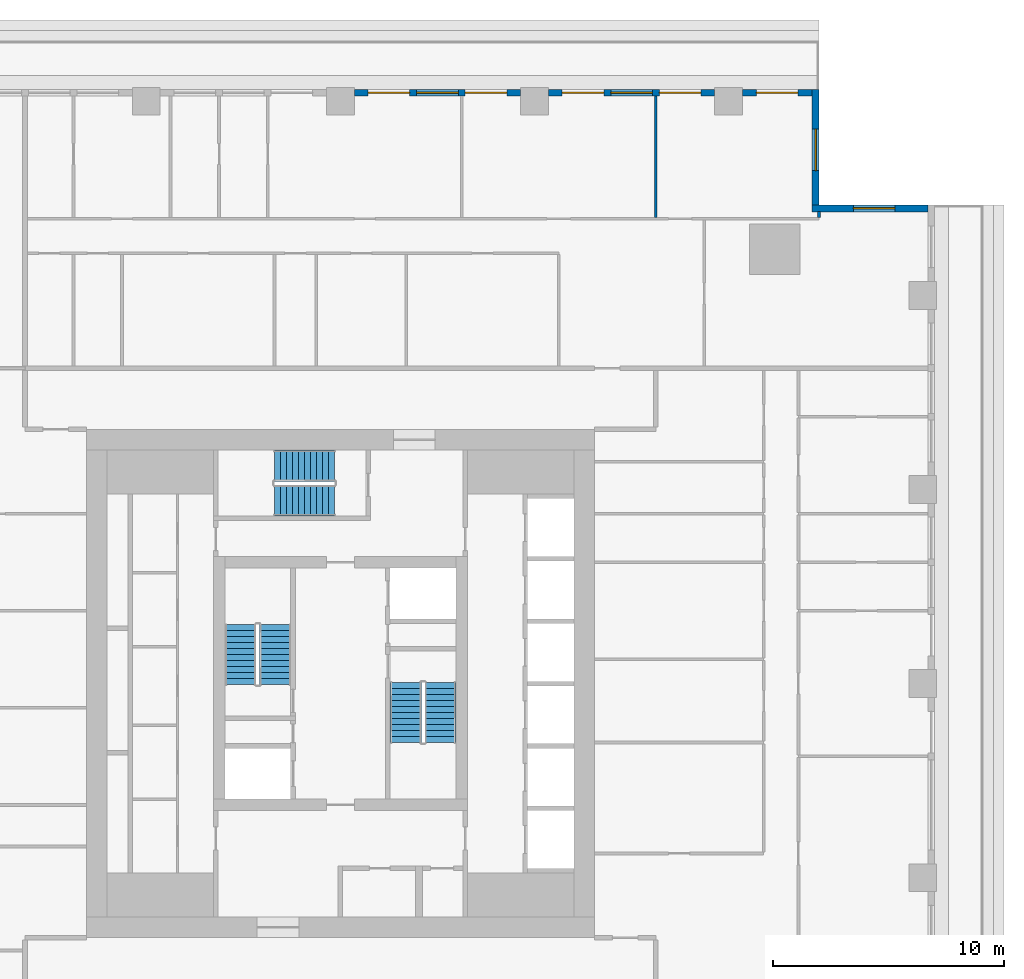
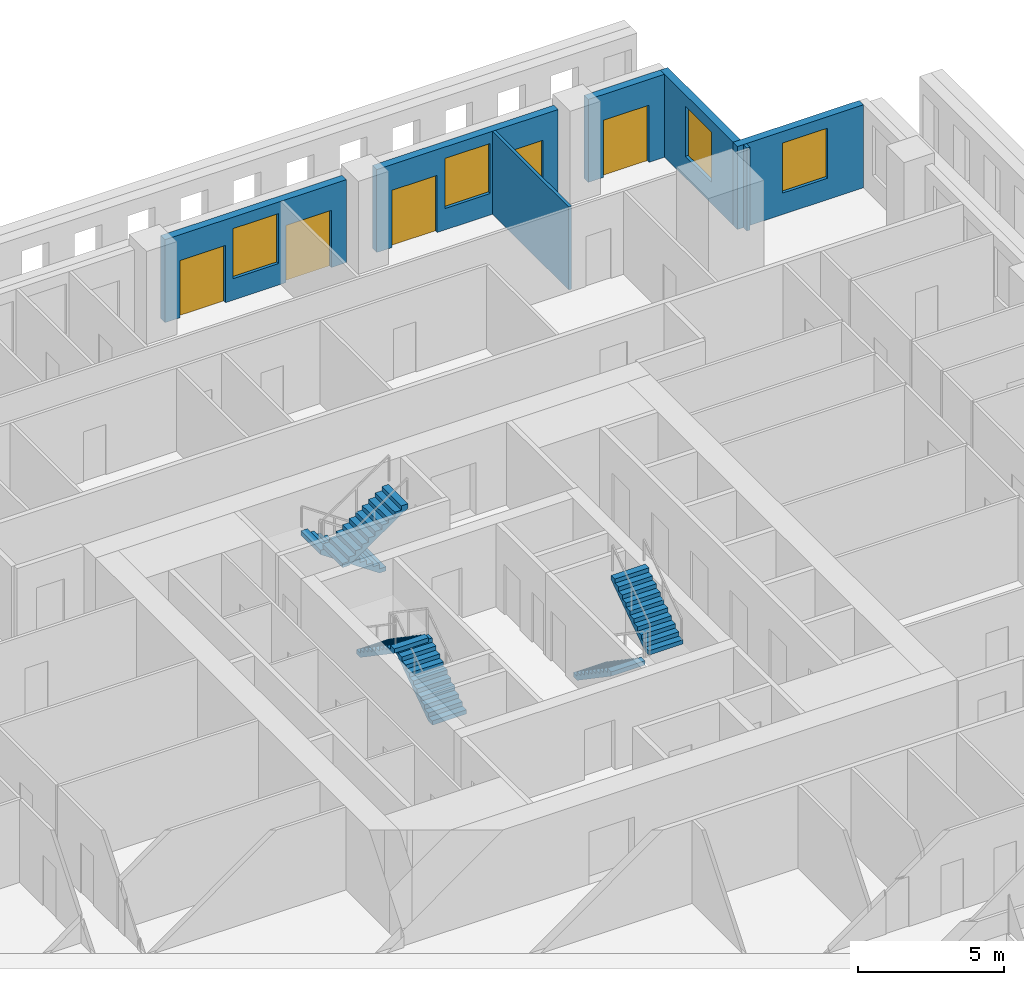
# One storey, part 9 of 14: 7 walls, 6 stair flights, 5 doors, 4 windows, 9 openings, 3 elements without a shape of their own.
"""IFC4 building model written with IfcOpenShell, lengths in metres."""

from ifc_helpers import new_model, si_unit, direction, frame, frame_2d, origin, place, context, subcontext, project, spatial, polyline, rectangle, outline, extrude, material, layer, layer_set, type_object, element, fill, aggregate, save


model = new_model("IFC4")

# Units and contexts
model_context = context("Model", 3, precision=1e-05, world=origin(), true_north=direction((0.0, 1.0)))
body_context = subcontext(model_context, "Body", "Model", "MODEL_VIEW")
ifc_project = project(units=[si_unit("LENGTHUNIT", "METRE"), si_unit("AREAUNIT", "SQUARE_METRE"), si_unit("VOLUMEUNIT", "CUBIC_METRE"), si_unit("PLANEANGLEUNIT", "RADIAN"), si_unit("MASSUNIT", "GRAM", prefix="KILO")], contexts=[model_context])

# Site, building, storey
site_placement = place(None, origin())
site = spatial("IfcSite", under=ifc_project, at=site_placement, CompositionType="ELEMENT")
building_placement = place(site_placement, origin())
building = spatial("IfcBuilding", under=site, at=building_placement, Name="Khepri Terraces", CompositionType="ELEMENT")
storey_placement = place(building_placement, frame((0.0, 0.0, 264.0)))
storey = spatial("IfcBuildingStorey", under=building, at=storey_placement, Name="L63", CompositionType="ELEMENT", Elevation=264.0)

# Wall, opening, window
ifc_material_1 = material(Name="Precast concrete C50/60 warm stone", Category="masonry")
ifc_layer_1 = layer(ifc_material_1, 0.300048828125, Name="Precast concrete C50/60 warm stone", Category="masonry")
ifc_layer_set_1 = layer_set([ifc_layer_1], Name="Precast concrete C50/60 warm stone")
wall_type_1 = type_object("IfcWallType", Name="WL-EXT-PRECAST-300", PredefinedType="STANDARD", material=ifc_layer_set_1)
wall_1_placement = place(storey_placement, frame((25.419921875, 20.570068359375, 0.0), z_axis=(0.0, 0.0, 1.0), x_axis=(-1.0, 0.0, 0.0)))
wall_1 = element("IfcWall", 1, at=wall_1_placement, inside=storey, type_object=wall_type_1, Name="External wall L63 N", PredefinedType="STANDARD", context=body_context, shape_type="SweptSolid", body=[
    extrude(rectangle(XDim=5.0, YDim=0.300048828125, at=frame_2d((2.5, 0.0))), origin(), (0.0, 0.0, 1.0), 3.47998046875),
])
opening_1_placement = place(wall_1_placement, frame((1.419921875, 0.0, 0.89990234375)))
opening_1 = element("IfcOpeningElement", 2, at=opening_1_placement, cuts=wall_1, Name="Opening W1", PredefinedType="OPENING", context=body_context, shape_type="SweptSolid", body=[
    extrude(rectangle(XDim=1.800048828125, YDim=2.10009765625, at=frame_2d((0.89990234375, 1.050048828125))), frame((0.0, 0.16015625, 0.0), z_axis=(0.0, -1.0, 0.0), x_axis=(1.0, 0.0, 0.0)), (0.0, 0.0, 1.0), 0.320068359375),
])
ifc_material_2 = material(Name="Clear glass", Category="glass")
window_type = type_object("IfcWindowType", Name="WIN-RES-1800x2100", PartitioningType="SINGLE_PANEL", PredefinedType="WINDOW", material=ifc_material_2)
window_1_placement = place(opening_1_placement, origin())
window_1 = element("IfcWindow", 3, at=window_1_placement, inside=storey, type_object=window_type, Name="Window L63 N", OverallHeight=2.10009765625, OverallWidth=1.800048828125, PartitioningType="SINGLE_PANEL", PredefinedType="WINDOW", context=body_context, shape_type="SweptSolid", body=[
    extrude(rectangle(XDim=1.800048828125, YDim=2.10009765625, at=frame_2d((0.89990234375, 1.050048828125))), frame((0.0, 0.030029296875, 0.0), z_axis=(0.0, -1.0, 0.0), x_axis=(1.0, 0.0, 0.0)), (0.0, 0.0, 1.0), 0.06005859375),
])
fill(opening_1, window_1)

wall_2_placement = place(storey_placement, frame((20.570068359375, 20.719970703125, 0.0), z_axis=(0.0, 0.0, 1.0), x_axis=(0.0, 1.0, 0.0)))
wall_2 = element("IfcWall", 4, at=wall_2_placement, inside=storey, type_object=wall_type_1, Name="External wall L63 E", PredefinedType="STANDARD", context=body_context, shape_type="SweptSolid", body=[
    extrude(rectangle(XDim=5.0, YDim=0.300048828125, at=frame_2d((2.5, 0.0))), origin(), (0.0, 0.0, 1.0), 3.47998046875),
])
opening_2_placement = place(wall_2_placement, frame((1.47998046875, 0.0, 0.89990234375)))
opening_2 = element("IfcOpeningElement", 5, at=opening_2_placement, cuts=wall_2, Name="Opening W1", PredefinedType="OPENING", context=body_context, shape_type="SweptSolid", body=[
    extrude(rectangle(XDim=1.800048828125, YDim=2.10009765625, at=frame_2d((0.89990234375, 1.050048828125))), frame((0.0, 0.16015625, 0.0), z_axis=(0.0, -1.0, 0.0), x_axis=(1.0, 0.0, 0.0)), (0.0, 0.0, 1.0), 0.320068359375),
])
window_2_placement = place(opening_2_placement, origin())
window_2 = element("IfcWindow", 6, at=window_2_placement, inside=storey, type_object=window_type, Name="Window L63 E", OverallHeight=2.10009765625, OverallWidth=1.800048828125, PartitioningType="SINGLE_PANEL", PredefinedType="WINDOW", context=body_context, shape_type="SweptSolid", body=[
    extrude(rectangle(XDim=1.800048828125, YDim=2.10009765625, at=frame_2d((0.89990234375, 1.050048828125))), frame((0.0, 0.030029296875, 0.0), z_axis=(0.0, -1.0, 0.0), x_axis=(1.0, 0.0, 0.0)), (0.0, 0.0, 1.0), 0.06005859375),
])
fill(opening_2, window_2)

# Wall, opening, door
wall_3_placement = place(storey_placement, frame((20.419921875, 25.570068359375, 0.0), z_axis=(0.0, 0.0, 1.0), x_axis=(-1.0, 0.0, 0.0)))
wall_3 = element("IfcWall", 7, at=wall_3_placement, inside=storey, type_object=wall_type_1, Name="External wall L63 N", PredefinedType="STANDARD", context=body_context, shape_type="SweptSolid", body=[
    extrude(rectangle(XDim=3.02001953125, YDim=0.300048828125, at=frame_2d((1.510009765625, 0.0))), origin(), (0.0, 0.0, 1.0), 3.47998046875),
])
opening_3_placement = place(wall_3_placement, frame((0.6201171875, 0.0, 0.0)))
opening_3 = element("IfcOpeningElement", 8, at=opening_3_placement, cuts=wall_3, Name="Opening ED-L63-05", PredefinedType="OPENING", context=body_context, shape_type="SweptSolid", body=[
    extrude(rectangle(XDim=1.800048828125, YDim=2.39990234375, at=frame_2d((0.89990234375, 1.199951171875))), frame((0.0, 0.16015625, 0.0), z_axis=(0.0, -1.0, 0.0), x_axis=(1.0, 0.0, 0.0)), (0.0, 0.0, 1.0), 0.320068359375),
])
ifc_material_3 = material(Name="Anodised aluminium bronze glazed door", Category="aluminium")
door_type = type_object("IfcDoorType", Name="DR-BAL-SLIDE-1800x2400", OperationType="NOTDEFINED", PredefinedType="DOOR", material=ifc_material_3)
door_1_placement = place(opening_3_placement, origin())
door_1 = element("IfcDoor", 9, at=door_1_placement, inside=storey, type_object=door_type, Name="Balcony door L63 N", OperationType="SLIDING_TO_RIGHT", OverallHeight=2.39990234375, OverallWidth=1.800048828125, PredefinedType="DOOR", context=body_context, shape_type="SweptSolid", body=[
    extrude(rectangle(XDim=1.800048828125, YDim=2.39990234375, at=frame_2d((0.89990234375, 1.199951171875))), frame((0.0, 0.02490234375, 0.0), z_axis=(0.0, -1.0, 0.0), x_axis=(1.0, 0.0, 0.0)), (0.0, 0.0, 1.0), 0.050048828125),
])
fill(opening_3, door_1)

# Wall, openings, doors, window
wall_4_placement = place(storey_placement, frame((16.199951171875, 25.570068359375, 0.0), z_axis=(0.0, 0.0, 1.0), x_axis=(-1.0, 0.0, 0.0)))
wall_4 = element("IfcWall", 10, at=wall_4_placement, inside=storey, type_object=wall_type_1, Name="External wall L63 N", PredefinedType="STANDARD", context=body_context, shape_type="SweptSolid", body=[
    extrude(rectangle(XDim=7.199951171875, YDim=0.300048828125, at=frame_2d((3.60009765625, 0.0))), origin(), (0.0, 0.0, 1.0), 3.47998046875),
])
opening_4_placement = place(wall_4_placement, frame((0.60009765625, 0.0, 0.0)))
opening_4 = element("IfcOpeningElement", 11, at=opening_4_placement, cuts=wall_4, Name="Opening ED-L63-06", PredefinedType="OPENING", context=body_context, shape_type="SweptSolid", body=[
    extrude(rectangle(XDim=1.800048828125, YDim=2.39990234375, at=frame_2d((0.89990234375, 1.199951171875))), frame((0.0, 0.16015625, 0.0), z_axis=(0.0, -1.0, 0.0), x_axis=(1.0, 0.0, 0.0)), (0.0, 0.0, 1.0), 0.320068359375),
])
opening_5_placement = place(wall_4_placement, frame((2.699951171875, 0.0, 0.89990234375)))
opening_5 = element("IfcOpeningElement", 12, at=opening_5_placement, cuts=wall_4, Name="Opening W1", PredefinedType="OPENING", context=body_context, shape_type="SweptSolid", body=[
    extrude(rectangle(XDim=1.800048828125, YDim=2.10009765625, at=frame_2d((0.89990234375, 1.050048828125))), frame((0.0, 0.16015625, 0.0), z_axis=(0.0, -1.0, 0.0), x_axis=(1.0, 0.0, 0.0)), (0.0, 0.0, 1.0), 0.320068359375),
])
opening_6_placement = place(wall_4_placement, frame((4.800048828125, 0.0, 0.0)))
opening_6 = element("IfcOpeningElement", 13, at=opening_6_placement, cuts=wall_4, Name="Opening ED-L63-07", PredefinedType="OPENING", context=body_context, shape_type="SweptSolid", body=[
    extrude(rectangle(XDim=1.800048828125, YDim=2.39990234375, at=frame_2d((0.89990234375, 1.199951171875))), frame((0.0, 0.16015625, 0.0), z_axis=(0.0, -1.0, 0.0), x_axis=(1.0, 0.0, 0.0)), (0.0, 0.0, 1.0), 0.320068359375),
])
door_2_placement = place(opening_4_placement, origin())
door_2 = element("IfcDoor", 14, at=door_2_placement, inside=storey, type_object=door_type, Name="Balcony door L63 N", OperationType="SLIDING_TO_LEFT", OverallHeight=2.39990234375, OverallWidth=1.800048828125, PredefinedType="DOOR", context=body_context, shape_type="SweptSolid", body=[
    extrude(rectangle(XDim=1.800048828125, YDim=2.39990234375, at=frame_2d((0.89990234375, 1.199951171875))), frame((0.0, 0.02490234375, 0.0), z_axis=(0.0, -1.0, 0.0), x_axis=(1.0, 0.0, 0.0)), (0.0, 0.0, 1.0), 0.050048828125),
])
fill(opening_4, door_2)
door_3_placement = place(opening_6_placement, origin())
door_3 = element("IfcDoor", 15, at=door_3_placement, inside=storey, type_object=door_type, Name="Balcony door L63 N", OperationType="SLIDING_TO_RIGHT", OverallHeight=2.39990234375, OverallWidth=1.800048828125, PredefinedType="DOOR", context=body_context, shape_type="SweptSolid", body=[
    extrude(rectangle(XDim=1.800048828125, YDim=2.39990234375, at=frame_2d((0.89990234375, 1.199951171875))), frame((0.0, 0.02490234375, 0.0), z_axis=(0.0, -1.0, 0.0), x_axis=(1.0, 0.0, 0.0)), (0.0, 0.0, 1.0), 0.050048828125),
])
fill(opening_6, door_3)
window_3_placement = place(opening_5_placement, origin())
window_3 = element("IfcWindow", 16, at=window_3_placement, inside=storey, type_object=window_type, Name="Window L63 N", OverallHeight=2.10009765625, OverallWidth=1.800048828125, PartitioningType="SINGLE_PANEL", PredefinedType="WINDOW", context=body_context, shape_type="SweptSolid", body=[
    extrude(rectangle(XDim=1.800048828125, YDim=2.10009765625, at=frame_2d((0.89990234375, 1.050048828125))), frame((0.0, 0.030029296875, 0.0), z_axis=(0.0, -1.0, 0.0), x_axis=(1.0, 0.0, 0.0)), (0.0, 0.0, 1.0), 0.06005859375),
])
fill(opening_5, window_3)

wall_5_placement = place(storey_placement, frame((7.800048828125, 25.570068359375, 0.0), z_axis=(0.0, 0.0, 1.0), x_axis=(-1.0, 0.0, 0.0)))
wall_5 = element("IfcWall", 17, at=wall_5_placement, inside=storey, type_object=wall_type_1, Name="External wall L63 N", PredefinedType="STANDARD", context=body_context, shape_type="SweptSolid", body=[
    extrude(rectangle(XDim=7.199951171875, YDim=0.300048828125, at=frame_2d((3.60009765625, 0.0))), origin(), (0.0, 0.0, 1.0), 3.47998046875),
])
opening_7_placement = place(wall_5_placement, frame((0.60009765625, 0.0, 0.0)))
opening_7 = element("IfcOpeningElement", 18, at=opening_7_placement, cuts=wall_5, Name="Opening ED-L63-08", PredefinedType="OPENING", context=body_context, shape_type="SweptSolid", body=[
    extrude(rectangle(XDim=1.800048828125, YDim=2.39990234375, at=frame_2d((0.89990234375, 1.199951171875))), frame((0.0, 0.16015625, 0.0), z_axis=(0.0, -1.0, 0.0), x_axis=(1.0, 0.0, 0.0)), (0.0, 0.0, 1.0), 0.320068359375),
])
opening_8_placement = place(wall_5_placement, frame((2.699951171875, 0.0, 0.89990234375)))
opening_8 = element("IfcOpeningElement", 19, at=opening_8_placement, cuts=wall_5, Name="Opening W1", PredefinedType="OPENING", context=body_context, shape_type="SweptSolid", body=[
    extrude(rectangle(XDim=1.800048828125, YDim=2.10009765625, at=frame_2d((0.89990234375, 1.050048828125))), frame((0.0, 0.16015625, 0.0), z_axis=(0.0, -1.0, 0.0), x_axis=(1.0, 0.0, 0.0)), (0.0, 0.0, 1.0), 0.320068359375),
])
opening_9_placement = place(wall_5_placement, frame((4.800048828125, 0.0, 0.0)))
opening_9 = element("IfcOpeningElement", 20, at=opening_9_placement, cuts=wall_5, Name="Opening ED-L63-09", PredefinedType="OPENING", context=body_context, shape_type="SweptSolid", body=[
    extrude(rectangle(XDim=1.800048828125, YDim=2.39990234375, at=frame_2d((0.89990234375, 1.199951171875))), frame((0.0, 0.16015625, 0.0), z_axis=(0.0, -1.0, 0.0), x_axis=(1.0, 0.0, 0.0)), (0.0, 0.0, 1.0), 0.320068359375),
])
door_4_placement = place(opening_7_placement, origin())
door_4 = element("IfcDoor", 21, at=door_4_placement, inside=storey, type_object=door_type, Name="Balcony door L63 N", OperationType="SLIDING_TO_LEFT", OverallHeight=2.39990234375, OverallWidth=1.800048828125, PredefinedType="DOOR", context=body_context, shape_type="SweptSolid", body=[
    extrude(rectangle(XDim=1.800048828125, YDim=2.39990234375, at=frame_2d((0.89990234375, 1.199951171875))), frame((0.0, 0.02490234375, 0.0), z_axis=(0.0, -1.0, 0.0), x_axis=(1.0, 0.0, 0.0)), (0.0, 0.0, 1.0), 0.050048828125),
])
fill(opening_7, door_4)
door_5_placement = place(opening_9_placement, origin())
door_5 = element("IfcDoor", 22, at=door_5_placement, inside=storey, type_object=door_type, Name="Balcony door L63 N", OperationType="SLIDING_TO_RIGHT", OverallHeight=2.39990234375, OverallWidth=1.800048828125, PredefinedType="DOOR", context=body_context, shape_type="SweptSolid", body=[
    extrude(rectangle(XDim=1.800048828125, YDim=2.39990234375, at=frame_2d((0.89990234375, 1.199951171875))), frame((0.0, 0.02490234375, 0.0), z_axis=(0.0, -1.0, 0.0), x_axis=(1.0, 0.0, 0.0)), (0.0, 0.0, 1.0), 0.050048828125),
])
fill(opening_9, door_5)
window_4_placement = place(opening_8_placement, origin())
window_4 = element("IfcWindow", 23, at=window_4_placement, inside=storey, type_object=window_type, Name="Window L63 N", OverallHeight=2.10009765625, OverallWidth=1.800048828125, PartitioningType="SINGLE_PANEL", PredefinedType="WINDOW", context=body_context, shape_type="SweptSolid", body=[
    extrude(rectangle(XDim=1.800048828125, YDim=2.10009765625, at=frame_2d((0.89990234375, 1.050048828125))), frame((0.0, 0.030029296875, 0.0), z_axis=(0.0, -1.0, 0.0), x_axis=(1.0, 0.0, 0.0)), (0.0, 0.0, 1.0), 0.06005859375),
])
fill(opening_8, window_4)

# Walls
ifc_material_4 = material(Name="Gypsum plasterboard partition")
ifc_layer_2 = layer(ifc_material_4, 0.1201171875, Name="Gypsum plasterboard partition")
ifc_layer_set_2 = layer_set([ifc_layer_2], Name="Gypsum plasterboard partition")
wall_type_2 = type_object("IfcWallType", Name="WL-PART-120", PredefinedType="PARTITIONING", material=ifc_layer_set_2)
wall_6_placement = place(storey_placement, frame((13.64990234375, 20.179931640625, 0.0), z_axis=(0.0, 0.0, 1.0), x_axis=(0.0, 1.0, 0.0)))
element("IfcWall", 24, at=wall_6_placement, inside=storey, type_object=wall_type_2, Name="Partition P-098 L63", PredefinedType="PARTITIONING", context=body_context, shape_type="SweptSolid", body=[
    extrude(rectangle(XDim=5.239990234375, YDim=0.1201171875, at=frame_2d((2.6201171875, 0.0))), origin(), (0.0, 0.0, 1.0), 3.47998046875),
])
wall_7_placement = place(storey_placement, frame((20.718994140625, 20.179931640625, 0.0), z_axis=(0.0, 0.0, 1.0), x_axis=(0.0, 1.0, 0.0)))
element("IfcWall", 25, at=wall_7_placement, inside=storey, type_object=wall_type_2, Name="Partition P-099 L63", PredefinedType="PARTITIONING", context=body_context, shape_type="SweptSolid", body=[
    extrude(rectangle(XDim=0.240966796875, YDim=0.1201171875, at=frame_2d((0.12060546875, 0.0))), origin(), (0.0, 0.0, 1.0), 3.47998046875),
])

# Stair, stair flights
ifc_material_5 = material(Name="Concrete C40/50", Category="concrete")
stair_type = type_object("IfcStairType", Name="STAIR-RC-22R", PredefinedType="HALF_TURN_STAIR", material=ifc_material_5)
stair_1_placement = place(storey_placement, origin())
stair_1 = element("IfcStair", 26, at=stair_1_placement, inside=storey, type_object=stair_type, Name="L63 Exit Stair ST-1", PredefinedType="HALF_TURN_STAIR")
stair_flight_type = type_object("IfcStairFlightType", Name="SFL-RC-177.3", PredefinedType="STRAIGHT", material=ifc_material_5)
stair_flight_1_placement = place(storey_placement, frame((-2.824951171875, -0.050048828125, 0.0), z_axis=(0.0, 0.0, 1.0), x_axis=(0.0, 1.0, 0.0)))
stair_flight_1 = element("IfcStairFlight", 27, at=stair_flight_1_placement, type_object=stair_flight_type, Name="ST-1 flight 1", NumberOfRisers=11, NumberOfTreads=10, PredefinedType="STRAIGHT", RiserHeight=0.177272727, TreadLength=0.26, context=body_context, shape_type="SweptSolid", body=[
    extrude(outline(polyline([(0.0, 0.0), (0.0, 0.17724609375), (0.260009765625, 0.17724609375), (0.260009765625, 0.3544921875), (0.52001953125, 0.3544921875), (0.52001953125, 0.53173828125), (0.780029296875, 0.53173828125), (0.780029296875, 0.708984375), (1.0400390625, 0.708984375), (1.0400390625, 0.886474609375), (1.300048828125, 0.886474609375), (1.300048828125, 1.063720703125), (1.56005859375, 1.063720703125), (1.56005859375, 1.240966796875), (1.820068359375, 1.240966796875), (1.820068359375, 1.418212890625), (2.080078125, 1.418212890625), (2.080078125, 1.595458984375), (2.340087890625, 1.595458984375), (2.340087890625, 1.772705078125), (2.60009765625, 1.772705078125), (2.60009765625, 1.949951171875), (2.60009765625, 1.59130859375), (0.26611328125, 0.0), (0.0, 0.0)])), frame((0.0, 0.675048828125, 0.0), z_axis=(0.0, -1.0, 0.0), x_axis=(1.0, 0.0, 0.0)), (0.0, 0.0, 1.0), 1.35009765625),
])
stair_flight_2_placement = place(storey_placement, frame((-4.324951171875, 2.550048828125, 1.949951171875), z_axis=(0.0, 0.0, 1.0), x_axis=(0.0, -1.0, 0.0)))
stair_flight_2 = element("IfcStairFlight", 28, at=stair_flight_2_placement, type_object=stair_flight_type, Name="ST-1 flight 2", NumberOfRisers=11, NumberOfTreads=10, PredefinedType="STRAIGHT", RiserHeight=0.177272727, TreadLength=0.26, context=body_context, shape_type="SweptSolid", body=[
    extrude(outline(polyline([(0.0, 0.0), (0.0, 0.17724609375), (0.260009765625, 0.17724609375), (0.260009765625, 0.3544921875), (0.52001953125, 0.3544921875), (0.52001953125, 0.53173828125), (0.780029296875, 0.53173828125), (0.780029296875, 0.708984375), (1.0400390625, 0.708984375), (1.0400390625, 0.886474609375), (1.300048828125, 0.886474609375), (1.300048828125, 1.063720703125), (1.56005859375, 1.063720703125), (1.56005859375, 1.240966796875), (1.820068359375, 1.240966796875), (1.820068359375, 1.418212890625), (2.080078125, 1.418212890625), (2.080078125, 1.595458984375), (2.340087890625, 1.595458984375), (2.340087890625, 1.772705078125), (2.60009765625, 1.772705078125), (2.60009765625, 1.949951171875), (2.60009765625, 1.59130859375), (0.26611328125, 0.0), (0.0, 0.0)])), frame((0.0, 0.675048828125, 0.0), z_axis=(0.0, -1.0, 0.0), x_axis=(1.0, 0.0, 0.0)), (0.0, 0.0, 1.0), 1.35009765625),
])
aggregate(stair_1, [stair_flight_1, stair_flight_2])

stair_2_placement = place(storey_placement, origin())
stair_2 = element("IfcStair", 29, at=stair_2_placement, inside=storey, type_object=stair_type, Name="L63 Exit Stair ST-2", PredefinedType="HALF_TURN_STAIR")
stair_flight_3_placement = place(storey_placement, frame((2.824951171875, 0.050048828125, 0.0), z_axis=(0.0, 0.0, 1.0), x_axis=(0.0, -1.0, 0.0)))
stair_flight_3 = element("IfcStairFlight", 30, at=stair_flight_3_placement, type_object=stair_flight_type, Name="ST-2 flight 1", NumberOfRisers=11, NumberOfTreads=10, PredefinedType="STRAIGHT", RiserHeight=0.177272727, TreadLength=0.26, context=body_context, shape_type="SweptSolid", body=[
    extrude(outline(polyline([(0.0, 0.0), (0.0, 0.17724609375), (0.260009765625, 0.17724609375), (0.260009765625, 0.3544921875), (0.52001953125, 0.3544921875), (0.52001953125, 0.53173828125), (0.780029296875, 0.53173828125), (0.780029296875, 0.708984375), (1.0400390625, 0.708984375), (1.0400390625, 0.886474609375), (1.300048828125, 0.886474609375), (1.300048828125, 1.063720703125), (1.56005859375, 1.063720703125), (1.56005859375, 1.240966796875), (1.820068359375, 1.240966796875), (1.820068359375, 1.418212890625), (2.080078125, 1.418212890625), (2.080078125, 1.595458984375), (2.340087890625, 1.595458984375), (2.340087890625, 1.772705078125), (2.60009765625, 1.772705078125), (2.60009765625, 1.949951171875), (2.60009765625, 1.59130859375), (0.26611328125, 0.0), (0.0, 0.0)])), frame((0.0, 0.675048828125, 0.0), z_axis=(0.0, -1.0, 0.0), x_axis=(1.0, 0.0, 0.0)), (0.0, 0.0, 1.0), 1.35009765625),
])
stair_flight_4_placement = place(storey_placement, frame((4.324951171875, -2.550048828125, 1.949951171875), z_axis=(0.0, 0.0, 1.0), x_axis=(0.0, 1.0, 0.0)))
stair_flight_4 = element("IfcStairFlight", 31, at=stair_flight_4_placement, type_object=stair_flight_type, Name="ST-2 flight 2", NumberOfRisers=11, NumberOfTreads=10, PredefinedType="STRAIGHT", RiserHeight=0.177272727, TreadLength=0.26, context=body_context, shape_type="SweptSolid", body=[
    extrude(outline(polyline([(0.0, 0.0), (0.0, 0.17724609375), (0.260009765625, 0.17724609375), (0.260009765625, 0.3544921875), (0.52001953125, 0.3544921875), (0.52001953125, 0.53173828125), (0.780029296875, 0.53173828125), (0.780029296875, 0.708984375), (1.0400390625, 0.708984375), (1.0400390625, 0.886474609375), (1.300048828125, 0.886474609375), (1.300048828125, 1.063720703125), (1.56005859375, 1.063720703125), (1.56005859375, 1.240966796875), (1.820068359375, 1.240966796875), (1.820068359375, 1.418212890625), (2.080078125, 1.418212890625), (2.080078125, 1.595458984375), (2.340087890625, 1.595458984375), (2.340087890625, 1.772705078125), (2.60009765625, 1.772705078125), (2.60009765625, 1.949951171875), (2.60009765625, 1.59130859375), (0.26611328125, 0.0), (0.0, 0.0)])), frame((0.0, 0.675048828125, 0.0), z_axis=(0.0, -1.0, 0.0), x_axis=(1.0, 0.0, 0.0)), (0.0, 0.0, 1.0), 1.35009765625),
])
aggregate(stair_2, [stair_flight_3, stair_flight_4])

stair_3_placement = place(storey_placement, origin())
stair_3 = element("IfcStair", 32, at=stair_3_placement, inside=storey, type_object=stair_type, Name="L63 Exit Stair ST-3", PredefinedType="HALF_TURN_STAIR")
stair_flight_5_placement = place(storey_placement, frame((-0.25, 9.425048828125, 0.0), z_axis=(0.0, 0.0, 1.0), x_axis=(-1.0, 0.0, 0.0)))
stair_flight_5 = element("IfcStairFlight", 33, at=stair_flight_5_placement, type_object=stair_flight_type, Name="ST-3 flight 1", NumberOfRisers=11, NumberOfTreads=10, PredefinedType="STRAIGHT", RiserHeight=0.177272727, TreadLength=0.26, context=body_context, shape_type="SweptSolid", body=[
    extrude(outline(polyline([(0.0, 0.0), (0.0, 0.17724609375), (0.260009765625, 0.17724609375), (0.260009765625, 0.3544921875), (0.52001953125, 0.3544921875), (0.52001953125, 0.53173828125), (0.780029296875, 0.53173828125), (0.780029296875, 0.708984375), (1.0400390625, 0.708984375), (1.0400390625, 0.886474609375), (1.300048828125, 0.886474609375), (1.300048828125, 1.063720703125), (1.56005859375, 1.063720703125), (1.56005859375, 1.240966796875), (1.820068359375, 1.240966796875), (1.820068359375, 1.418212890625), (2.080078125, 1.418212890625), (2.080078125, 1.595458984375), (2.340087890625, 1.595458984375), (2.340087890625, 1.772705078125), (2.60009765625, 1.772705078125), (2.60009765625, 1.949951171875), (2.60009765625, 1.59130859375), (0.26611328125, 0.0), (0.0, 0.0)])), frame((0.0, 0.675048828125, 0.0), z_axis=(0.0, -1.0, 0.0), x_axis=(1.0, 0.0, 0.0)), (0.0, 0.0, 1.0), 1.35009765625),
])
stair_flight_6_placement = place(storey_placement, frame((-2.85009765625, 7.925048828125, 1.949951171875), z_axis=(0.0, 0.0, 1.0), x_axis=(1.0, 0.0, 0.0)))
stair_flight_6 = element("IfcStairFlight", 34, at=stair_flight_6_placement, type_object=stair_flight_type, Name="ST-3 flight 2", NumberOfRisers=11, NumberOfTreads=10, PredefinedType="STRAIGHT", RiserHeight=0.177272727, TreadLength=0.26, context=body_context, shape_type="SweptSolid", body=[
    extrude(outline(polyline([(0.0, 0.0), (0.0, 0.17724609375), (0.260009765625, 0.17724609375), (0.260009765625, 0.3544921875), (0.52001953125, 0.3544921875), (0.52001953125, 0.53173828125), (0.780029296875, 0.53173828125), (0.780029296875, 0.708984375), (1.0400390625, 0.708984375), (1.0400390625, 0.886474609375), (1.300048828125, 0.886474609375), (1.300048828125, 1.063720703125), (1.56005859375, 1.063720703125), (1.56005859375, 1.240966796875), (1.820068359375, 1.240966796875), (1.820068359375, 1.418212890625), (2.080078125, 1.418212890625), (2.080078125, 1.595458984375), (2.340087890625, 1.595458984375), (2.340087890625, 1.772705078125), (2.60009765625, 1.772705078125), (2.60009765625, 1.949951171875), (2.60009765625, 1.59130859375), (0.26611328125, 0.0), (0.0, 0.0)])), frame((0.0, 0.675048828125, 0.0), z_axis=(0.0, -1.0, 0.0), x_axis=(1.0, 0.0, 0.0)), (0.0, 0.0, 1.0), 1.35009765625),
])
aggregate(stair_3, [stair_flight_5, stair_flight_6])

save(model, "model.ifc")
